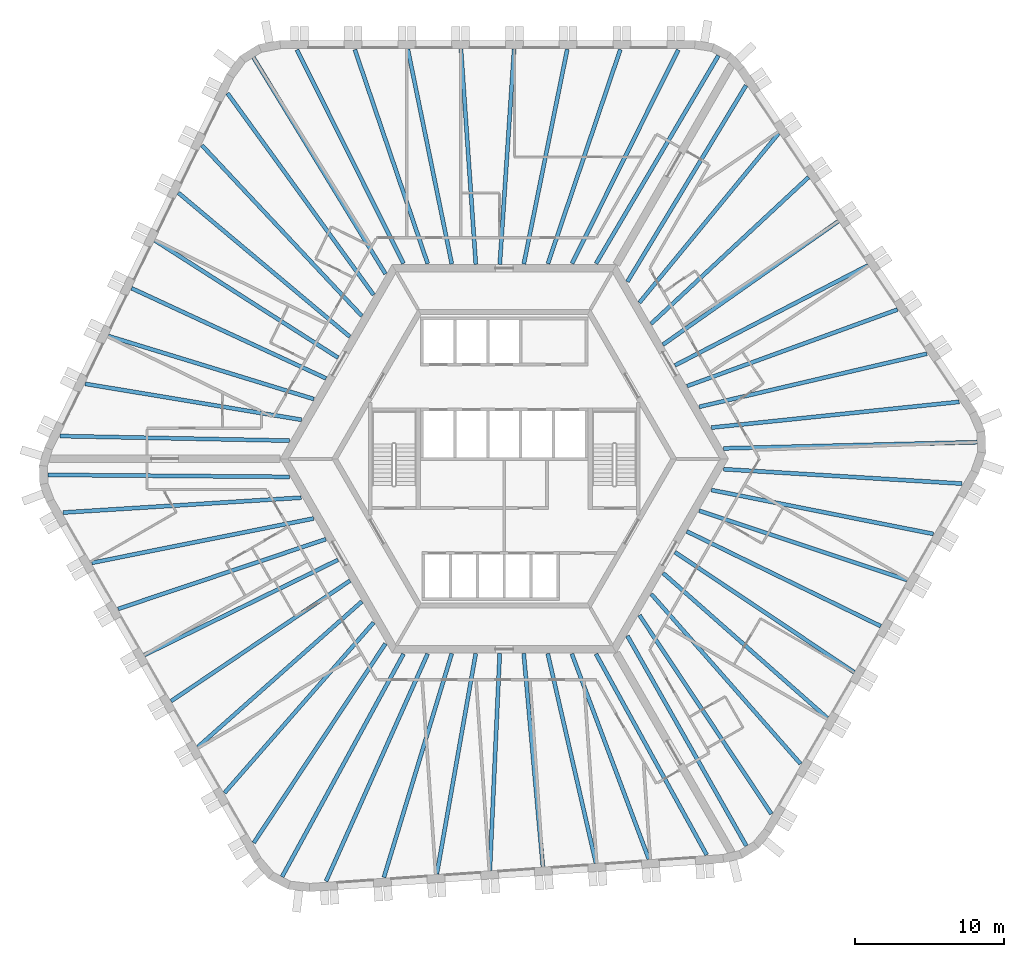
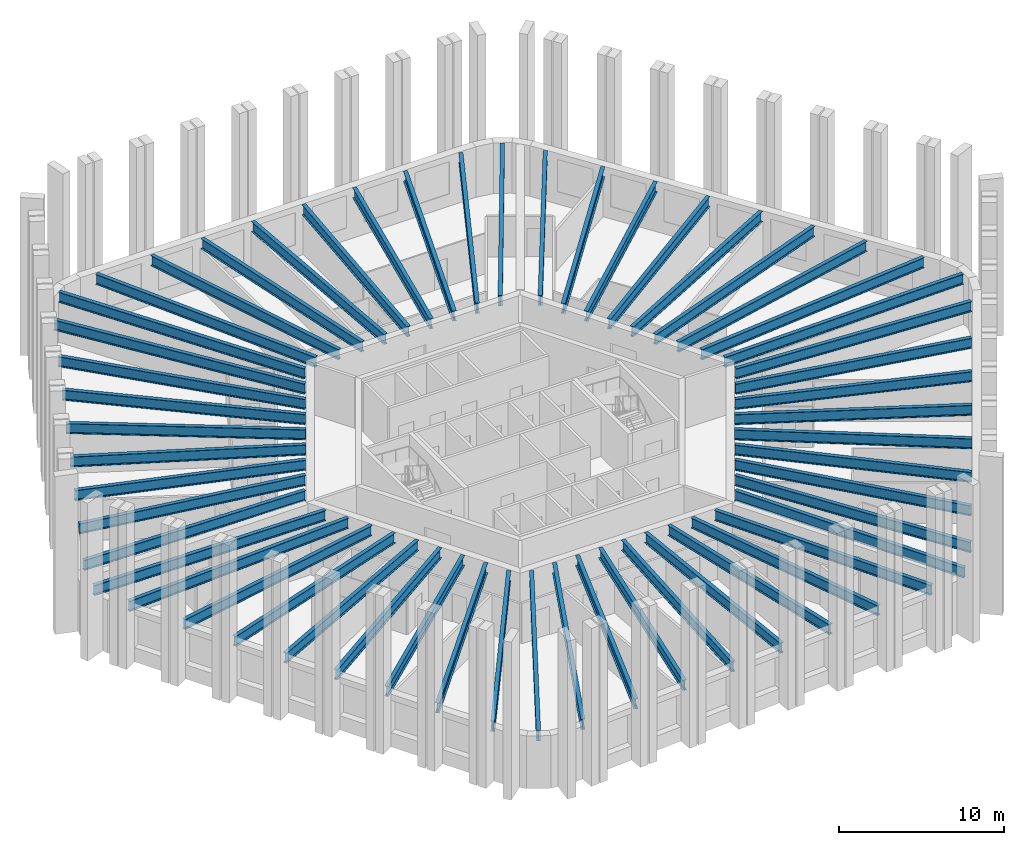
# One storey, part 1 of 10: 54 beams.
"""IFC4 building model written with IfcOpenShell, lengths in metres."""

from ifc_helpers import new_model, si_unit, direction, frame, origin, origin_2d, place, context, subcontext, project, spatial, i_section, extrude, material, material_profile, profile_set, type_object, element, save


model = new_model("IFC4")

# Units and contexts
model_context = context("Model", 3, precision=1e-05, world=origin(), true_north=direction((0.0, 1.0)))
body_context = subcontext(model_context, "Body", "Model", "MODEL_VIEW")
ifc_project = project(units=[si_unit("LENGTHUNIT", "METRE"), si_unit("AREAUNIT", "SQUARE_METRE"), si_unit("VOLUMEUNIT", "CUBIC_METRE"), si_unit("PLANEANGLEUNIT", "RADIAN"), si_unit("MASSUNIT", "GRAM", prefix="KILO")], contexts=[model_context])

# Site, building, storey
site_placement = place(None, origin())
site = spatial("IfcSite", under=ifc_project, at=site_placement, CompositionType="ELEMENT")
building_placement = place(site_placement, origin())
building = spatial("IfcBuilding", under=site, at=building_placement, Name="Tarnside Tower", CompositionType="ELEMENT")
storey_placement = place(building_placement, frame((0.0, 0.0, 226.800048828125)))
storey = spatial("IfcBuildingStorey", under=building, at=storey_placement, Name="L54", CompositionType="ELEMENT", Elevation=226.800048828125)

# Beams
ifc_material = material(Name="Steel S355", Category="steel")
ifc_material_profile_1 = material_profile(ifc_material, i_section(OverallWidth=0.26513671875, OverallDepth=0.75390625, WebThickness=0.0126953125, FlangeThickness=0.017578125, FilletRadius=0.0166015625, at=origin_2d()), Name="UB 762x267x147")
ifc_profile_set_1 = profile_set([ifc_material_profile_1], Name="Steel S355")
beam_type_1 = type_object("IfcBeamType", Name="Floor beam UB 762x267x147", PredefinedType="BEAM", material=ifc_profile_set_1)
beam_1_placement = place(storey_placement, frame((7.77001953125, 27.393310546875, 3.373046875), z_axis=(-0.320362579778, -0.947295000239, 0.0), x_axis=(0.947295000239, -0.320362579778, 0.0)))
element("IfcBeam", 1, at=beam_1_placement, inside=storey, type_object=beam_type_1, Name="Floor beam F1.02", PredefinedType="BEAM", context=body_context, shape_type="SweptSolid", body=[
    extrude(i_section(OverallWidth=0.26513671875, OverallDepth=0.75390625, WebThickness=0.0126953125, FlangeThickness=0.017578125, FilletRadius=0.0166015625, at=origin_2d()), origin(), (0.0, 0.0, 1.0), 15.134033203125),
])
beam_2_placement = place(storey_placement, frame((4.218505859375, 27.410888671875, 3.373046875), z_axis=(-0.19841777413, -0.980117537293, 0.0), x_axis=(0.980117537293, -0.19841777413, 0.0)))
element("IfcBeam", 2, at=beam_2_placement, inside=storey, type_object=beam_type_1, Name="Floor beam F1.03", PredefinedType="BEAM", context=body_context, shape_type="SweptSolid", body=[
    extrude(i_section(OverallWidth=0.26513671875, OverallDepth=0.75390625, WebThickness=0.0126953125, FlangeThickness=0.017578125, FilletRadius=0.0166015625, at=origin_2d()), origin(), (0.0, 0.0, 1.0), 14.6630859375),
])
beam_3_placement = place(storey_placement, frame((0.66259765625, 27.429931640625, 3.373046875), z_axis=(-0.066554914868, -0.997782763585, 0.0), x_axis=(0.997782763585, -0.066554914868, 0.0)))
element("IfcBeam", 3, at=beam_3_placement, inside=storey, type_object=beam_type_1, Name="Floor beam F1.04", PredefinedType="BEAM", context=body_context, shape_type="SweptSolid", body=[
    extrude(i_section(OverallWidth=0.26513671875, OverallDepth=0.75390625, WebThickness=0.0126953125, FlangeThickness=0.017578125, FilletRadius=0.0166015625, at=origin_2d()), origin(), (0.0, 0.0, 1.0), 14.44189453125),
])
beam_4_placement = place(storey_placement, frame((-2.8974609375, 27.429931640625, 3.373046875), z_axis=(0.068876921658, -0.997625164911, 0.0), x_axis=(0.997625164911, 0.068876921658, 0.0)))
element("IfcBeam", 4, at=beam_4_placement, inside=storey, type_object=beam_type_1, Name="Floor beam F1.05", PredefinedType="BEAM", context=body_context, shape_type="SweptSolid", body=[
    extrude(i_section(OverallWidth=0.26513671875, OverallDepth=0.75390625, WebThickness=0.0126953125, FlangeThickness=0.017578125, FilletRadius=0.0166015625, at=origin_2d()), origin(), (0.0, 0.0, 1.0), 14.4443359375),
])
beam_5_placement = place(storey_placement, frame((-6.45361328125, 27.410888671875, 3.373046875), z_axis=(0.200623497398, -0.979668419564, 0.0), x_axis=(0.979668419564, 0.200623497398, 0.0)))
element("IfcBeam", 5, at=beam_5_placement, inside=storey, type_object=beam_type_1, Name="Floor beam F1.06", PredefinedType="BEAM", context=body_context, shape_type="SweptSolid", body=[
    extrude(i_section(OverallWidth=0.26513671875, OverallDepth=0.75390625, WebThickness=0.0126953125, FlangeThickness=0.017578125, FilletRadius=0.0166015625, at=origin_2d()), origin(), (0.0, 0.0, 1.0), 14.669921875),
])
beam_6_placement = place(storey_placement, frame((-10.0048828125, 27.393310546875, 3.373046875), z_axis=(0.322343712034, -0.946622697442, 0.0), x_axis=(0.946622697442, 0.322343712034, 0.0)))
element("IfcBeam", 6, at=beam_6_placement, inside=storey, type_object=beam_type_1, Name="Floor beam F1.07", PredefinedType="BEAM", context=body_context, shape_type="SweptSolid", body=[
    extrude(i_section(OverallWidth=0.26513671875, OverallDepth=0.75390625, WebThickness=0.0126953125, FlangeThickness=0.017578125, FilletRadius=0.0166015625, at=origin_2d()), origin(), (0.0, 0.0, 1.0), 15.144775390625),
])
beam_7_placement = place(storey_placement, frame((-20.241455078125, 20.9892578125, 3.373046875), z_axis=(0.683752330283, -0.729714156936, 0.0), x_axis=(0.729714156936, 0.683752330283, 0.0)))
element("IfcBeam", 7, at=beam_7_placement, inside=storey, type_object=beam_type_1, Name="Floor beam F2.02", PredefinedType="BEAM", context=body_context, shape_type="SweptSolid", body=[
    extrude(i_section(OverallWidth=0.26513671875, OverallDepth=0.75390625, WebThickness=0.0126953125, FlangeThickness=0.017578125, FilletRadius=0.0166015625, at=origin_2d()), origin(), (0.0, 0.0, 1.0), 15.6591796875),
])
beam_8_placement = place(storey_placement, frame((-21.81396484375, 17.80419921875, 3.373046875), z_axis=(0.765948461073, -0.642901979294, 0.0), x_axis=(0.642901979294, 0.765948461073, 0.0)))
element("IfcBeam", 8, at=beam_8_placement, inside=storey, type_object=beam_type_1, Name="Floor beam F2.03", PredefinedType="BEAM", context=body_context, shape_type="SweptSolid", body=[
    extrude(i_section(OverallWidth=0.26513671875, OverallDepth=0.75390625, WebThickness=0.0126953125, FlangeThickness=0.017578125, FilletRadius=0.0166015625, at=origin_2d()), origin(), (0.0, 0.0, 1.0), 14.982177734375),
])
beam_9_placement = place(storey_placement, frame((-23.389892578125, 14.616455078125, 3.373046875), z_axis=(0.842378275633, -0.538886667808, 0.0), x_axis=(0.538886667808, 0.842378275633, 0.0)))
element("IfcBeam", 9, at=beam_9_placement, inside=storey, type_object=beam_type_1, Name="Floor beam F2.04", PredefinedType="BEAM", context=body_context, shape_type="SweptSolid", body=[
    extrude(i_section(OverallWidth=0.26513671875, OverallDepth=0.75390625, WebThickness=0.0126953125, FlangeThickness=0.017578125, FilletRadius=0.0166015625, at=origin_2d()), origin(), (0.0, 0.0, 1.0), 14.5595703125),
])
beam_10_placement = place(storey_placement, frame((-24.9501953125, 11.416748046875, 3.373046875), z_axis=(0.907310131748, -0.420462037321, 0.0), x_axis=(0.420462037321, 0.907310131748, 0.0)))
element("IfcBeam", 10, at=beam_10_placement, inside=storey, type_object=beam_type_1, Name="Floor beam F2.05", PredefinedType="BEAM", context=body_context, shape_type="SweptSolid", body=[
    extrude(i_section(OverallWidth=0.26513671875, OverallDepth=0.75390625, WebThickness=0.0126953125, FlangeThickness=0.017578125, FilletRadius=0.0166015625, at=origin_2d()), origin(), (0.0, 0.0, 1.0), 14.353515625),
])
beam_11_placement = place(storey_placement, frame((-26.510986328125, 8.2177734375, 3.373046875), z_axis=(0.956073348261, -0.293127536654, 0.0), x_axis=(0.293127536654, 0.956073348261, 0.0)))
element("IfcBeam", 11, at=beam_11_placement, inside=storey, type_object=beam_type_1, Name="Floor beam F2.06", PredefinedType="BEAM", context=body_context, shape_type="SweptSolid", body=[
    extrude(i_section(OverallWidth=0.26513671875, OverallDepth=0.75390625, WebThickness=0.0126953125, FlangeThickness=0.017578125, FilletRadius=0.0166015625, at=origin_2d()), origin(), (0.0, 0.0, 1.0), 14.3955078125),
])
beam_12_placement = place(storey_placement, frame((-28.0517578125, 5.015869140625, 3.373046875), z_axis=(0.986476498304, -0.163902770858, 0.0), x_axis=(0.163902770858, 0.986476498304, 0.0)))
element("IfcBeam", 12, at=beam_12_placement, inside=storey, type_object=beam_type_1, Name="Floor beam F2.07", PredefinedType="BEAM", context=body_context, shape_type="SweptSolid", body=[
    extrude(i_section(OverallWidth=0.26513671875, OverallDepth=0.75390625, WebThickness=0.0126953125, FlangeThickness=0.017578125, FilletRadius=0.0166015625, at=origin_2d()), origin(), (0.0, 0.0, 1.0), 14.680908203125),
])
beam_13_placement = place(storey_placement, frame((-29.73828125, 1.521484375, 3.373046875), z_axis=(0.999800142641, -0.019991867701, 0.0), x_axis=(0.019991867701, 0.999800142641, 0.0)))
element("IfcBeam", 13, at=beam_13_placement, inside=storey, type_object=beam_type_1, Name="Floor beam F2.08", PredefinedType="BEAM", context=body_context, shape_type="SweptSolid", body=[
    extrude(i_section(OverallWidth=0.26513671875, OverallDepth=0.75390625, WebThickness=0.0126953125, FlangeThickness=0.017578125, FilletRadius=0.0166015625, at=origin_2d()), origin(), (0.0, 0.0, 1.0), 15.3505859375),
])
beam_14_placement = place(storey_placement, frame((-27.608154296875, -6.967529296875, 3.373046875), z_axis=(0.980564540422, 0.196196794232, 0.0), x_axis=(-0.196196794232, 0.980564540422, 0.0)))
element("IfcBeam", 14, at=beam_14_placement, inside=storey, type_object=beam_type_1, Name="Floor beam F3.02", PredefinedType="BEAM", context=body_context, shape_type="SweptSolid", body=[
    extrude(i_section(OverallWidth=0.26513671875, OverallDepth=0.75390625, WebThickness=0.0126953125, FlangeThickness=0.017578125, FilletRadius=0.0166015625, at=origin_2d()), origin(), (0.0, 0.0, 1.0), 15.134033203125),
])
beam_15_placement = place(storey_placement, frame((-25.84765625, -10.052001953125, 3.373046875), z_axis=(0.948011835322, 0.31823507049, 0.0), x_axis=(-0.31823507049, 0.948011835322, 0.0)))
element("IfcBeam", 15, at=beam_15_placement, inside=storey, type_object=beam_type_1, Name="Floor beam F3.03", PredefinedType="BEAM", context=body_context, shape_type="SweptSolid", body=[
    extrude(i_section(OverallWidth=0.26513671875, OverallDepth=0.75390625, WebThickness=0.0126953125, FlangeThickness=0.017578125, FilletRadius=0.0166015625, at=origin_2d()), origin(), (0.0, 0.0, 1.0), 14.662841796875),
])
beam_16_placement = place(storey_placement, frame((-24.086181640625, -13.141357421875, 3.373046875), z_axis=(0.897375974806, 0.441266767206, 0.0), x_axis=(-0.441266767206, 0.897375974806, 0.0)))
element("IfcBeam", 16, at=beam_16_placement, inside=storey, type_object=beam_type_1, Name="Floor beam F3.04", PredefinedType="BEAM", context=body_context, shape_type="SweptSolid", body=[
    extrude(i_section(OverallWidth=0.26513671875, OverallDepth=0.75390625, WebThickness=0.0126953125, FlangeThickness=0.017578125, FilletRadius=0.0166015625, at=origin_2d()), origin(), (0.0, 0.0, 1.0), 14.442138671875),
])
beam_17_placement = place(storey_placement, frame((-22.306396484375, -16.224365234375, 3.373046875), z_axis=(0.829532486243, 0.558458462437, 0.0), x_axis=(-0.558458462437, 0.829532486243, 0.0)))
element("IfcBeam", 17, at=beam_17_placement, inside=storey, type_object=beam_type_1, Name="Floor beam F3.05", PredefinedType="BEAM", context=body_context, shape_type="SweptSolid", body=[
    extrude(i_section(OverallWidth=0.26513671875, OverallDepth=0.75390625, WebThickness=0.0126953125, FlangeThickness=0.017578125, FilletRadius=0.0166015625, at=origin_2d()), origin(), (0.0, 0.0, 1.0), 14.444580078125),
])
beam_18_placement = place(storey_placement, frame((-20.51171875, -19.294189453125, 3.373046875), z_axis=(0.74811408094, 0.663570133369, 0.0), x_axis=(-0.663570133369, 0.74811408094, 0.0)))
element("IfcBeam", 18, at=beam_18_placement, inside=storey, type_object=beam_type_1, Name="Floor beam F3.06", PredefinedType="BEAM", context=body_context, shape_type="SweptSolid", body=[
    extrude(i_section(OverallWidth=0.26513671875, OverallDepth=0.75390625, WebThickness=0.0126953125, FlangeThickness=0.017578125, FilletRadius=0.0166015625, at=origin_2d()), origin(), (0.0, 0.0, 1.0), 14.669677734375),
])
beam_19_placement = place(storey_placement, frame((-18.720703125, -22.361083984375, 3.373046875), z_axis=(0.658621010302, 0.752474826681, 0.0), x_axis=(-0.752474826681, 0.658621010302, 0.0)))
element("IfcBeam", 19, at=beam_19_placement, inside=storey, type_object=beam_type_1, Name="Floor beam F3.07", PredefinedType="BEAM", context=body_context, shape_type="SweptSolid", body=[
    extrude(i_section(OverallWidth=0.26513671875, OverallDepth=0.75390625, WebThickness=0.0126953125, FlangeThickness=0.017578125, FilletRadius=0.0166015625, at=origin_2d()), origin(), (0.0, 0.0, 1.0), 15.144775390625),
])
beam_20_placement = place(storey_placement, frame((-8.056396484375, -28.024169921875, 3.373046875), z_axis=(0.290070138838, 0.957005388989, 0.0), x_axis=(-0.957005388989, 0.290070138838, 0.0)))
element("IfcBeam", 20, at=beam_20_placement, inside=storey, type_object=beam_type_1, Name="Floor beam F4.02", PredefinedType="BEAM", context=body_context, shape_type="SweptSolid", body=[
    extrude(i_section(OverallWidth=0.26513671875, OverallDepth=0.75390625, WebThickness=0.0126953125, FlangeThickness=0.017578125, FilletRadius=0.0166015625, at=origin_2d()), origin(), (0.0, 0.0, 1.0), 15.6591796875),
])
beam_21_placement = place(storey_placement, frame((-4.511962890625, -27.793701171875, 3.373046875), z_axis=(0.173788122681, 0.984783066678, 0.0), x_axis=(-0.984783066678, 0.173788122681, 0.0)))
element("IfcBeam", 21, at=beam_21_placement, inside=storey, type_object=beam_type_1, Name="Floor beam F4.03", PredefinedType="BEAM", context=body_context, shape_type="SweptSolid", body=[
    extrude(i_section(OverallWidth=0.26513671875, OverallDepth=0.75390625, WebThickness=0.0126953125, FlangeThickness=0.017578125, FilletRadius=0.0166015625, at=origin_2d()), origin(), (0.0, 0.0, 1.0), 14.982421875),
])
beam_22_placement = place(storey_placement, frame((-0.96337890625, -27.564453125, 3.373046875), z_axis=(0.045509585226, 0.998963902077, 0.0), x_axis=(-0.998963902077, 0.045509585226, 0.0)))
element("IfcBeam", 22, at=beam_22_placement, inside=storey, type_object=beam_type_1, Name="Floor beam F4.04", PredefinedType="BEAM", context=body_context, shape_type="SweptSolid", body=[
    extrude(i_section(OverallWidth=0.26513671875, OverallDepth=0.75390625, WebThickness=0.0126953125, FlangeThickness=0.017578125, FilletRadius=0.0166015625, at=origin_2d()), origin(), (0.0, 0.0, 1.0), 14.5595703125),
])
beam_23_placement = place(storey_placement, frame((2.587890625, -27.31591796875, 3.373046875), z_axis=(-0.089518916897, 0.995985122137, 0.0), x_axis=(-0.995985122137, -0.089518916897, 0.0)))
element("IfcBeam", 23, at=beam_23_placement, inside=storey, type_object=beam_type_1, Name="Floor beam F4.05", PredefinedType="BEAM", context=body_context, shape_type="SweptSolid", body=[
    extrude(i_section(OverallWidth=0.26513671875, OverallDepth=0.75390625, WebThickness=0.0126953125, FlangeThickness=0.017578125, FilletRadius=0.0166015625, at=origin_2d()), origin(), (0.0, 0.0, 1.0), 14.353515625),
])
beam_24_placement = place(storey_placement, frame((6.138671875, -27.068115234375, 3.373046875), z_axis=(-0.224188122435, 0.974545886944, 0.0), x_axis=(-0.974545886944, -0.224188122435, 0.0)))
element("IfcBeam", 24, at=beam_24_placement, inside=storey, type_object=beam_type_1, Name="Floor beam F4.06", PredefinedType="BEAM", context=body_context, shape_type="SweptSolid", body=[
    extrude(i_section(OverallWidth=0.26513671875, OverallDepth=0.75390625, WebThickness=0.0126953125, FlangeThickness=0.017578125, FilletRadius=0.0166015625, at=origin_2d()), origin(), (0.0, 0.0, 1.0), 14.3955078125),
])
beam_25_placement = place(storey_placement, frame((9.681884765625, -26.801513671875, 3.373046875), z_axis=(-0.351271055087, 0.936273809234, 0.0), x_axis=(-0.936273809234, -0.351271055087, 0.0)))
element("IfcBeam", 25, at=beam_25_placement, inside=storey, type_object=beam_type_1, Name="Floor beam F4.07", PredefinedType="BEAM", context=body_context, shape_type="SweptSolid", body=[
    extrude(i_section(OverallWidth=0.26513671875, OverallDepth=0.75390625, WebThickness=0.0126953125, FlangeThickness=0.017578125, FilletRadius=0.0166015625, at=origin_2d()), origin(), (0.0, 0.0, 1.0), 14.680908203125),
])
beam_26_placement = place(storey_placement, frame((13.551513671875, -26.514892578125, 3.373046875), z_axis=(-0.482584088089, 0.875849643445, 0.0), x_axis=(-0.875849643445, -0.482584088089, 0.0)))
element("IfcBeam", 26, at=beam_26_placement, inside=storey, type_object=beam_type_1, Name="Floor beam F4.08", PredefinedType="BEAM", context=body_context, shape_type="SweptSolid", body=[
    extrude(i_section(OverallWidth=0.26513671875, OverallDepth=0.75390625, WebThickness=0.0126953125, FlangeThickness=0.017578125, FilletRadius=0.0166015625, at=origin_2d()), origin(), (0.0, 0.0, 1.0), 15.3505859375),
])
beam_27_placement = place(storey_placement, frame((19.838134765625, -20.425537109375, 3.373046875), z_axis=(-0.660201214512, 0.751088780609, 0.0), x_axis=(-0.751088780609, -0.660201214512, 0.0)))
element("IfcBeam", 27, at=beam_27_placement, inside=storey, type_object=beam_type_1, Name="Floor beam F5.02", PredefinedType="BEAM", context=body_context, shape_type="SweptSolid", body=[
    extrude(i_section(OverallWidth=0.26513671875, OverallDepth=0.75390625, WebThickness=0.0126953125, FlangeThickness=0.017578125, FilletRadius=0.0166015625, at=origin_2d()), origin(), (0.0, 0.0, 1.0), 15.134033203125),
])
beam_28_placement = place(storey_placement, frame((21.629150390625, -17.358642578125, 3.373046875), z_axis=(-0.749601662028, 0.661889226597, 0.0), x_axis=(-0.661889226597, -0.749601662028, 0.0)))
element("IfcBeam", 28, at=beam_28_placement, inside=storey, type_object=beam_type_1, Name="Floor beam F5.03", PredefinedType="BEAM", context=body_context, shape_type="SweptSolid", body=[
    extrude(i_section(OverallWidth=0.26513671875, OverallDepth=0.75390625, WebThickness=0.0126953125, FlangeThickness=0.017578125, FilletRadius=0.0166015625, at=origin_2d()), origin(), (0.0, 0.0, 1.0), 14.6630859375),
])
beam_29_placement = place(storey_placement, frame((23.423828125, -14.288818359375, 3.373046875), z_axis=(-0.830825943553, 0.556532345439, 0.0), x_axis=(-0.556532345439, -0.830825943553, 0.0)))
element("IfcBeam", 29, at=beam_29_placement, inside=storey, type_object=beam_type_1, Name="Floor beam F5.04", PredefinedType="BEAM", context=body_context, shape_type="SweptSolid", body=[
    extrude(i_section(OverallWidth=0.26513671875, OverallDepth=0.75390625, WebThickness=0.0126953125, FlangeThickness=0.017578125, FilletRadius=0.0166015625, at=origin_2d()), origin(), (0.0, 0.0, 1.0), 14.4423828125),
])
beam_30_placement = place(storey_placement, frame((25.203857421875, -11.205810546875, 3.373046875), z_axis=(-0.898407034897, 0.43916375038, 0.0), x_axis=(-0.43916375038, -0.898407034897, 0.0)))
element("IfcBeam", 30, at=beam_30_placement, inside=storey, type_object=beam_type_1, Name="Floor beam F5.05", PredefinedType="BEAM", context=body_context, shape_type="SweptSolid", body=[
    extrude(i_section(OverallWidth=0.26513671875, OverallDepth=0.75390625, WebThickness=0.0126953125, FlangeThickness=0.017578125, FilletRadius=0.0166015625, at=origin_2d()), origin(), (0.0, 0.0, 1.0), 14.444580078125),
])
beam_31_placement = place(storey_placement, frame((26.965087890625, -8.116455078125, 3.373046875), z_axis=(-0.948728223501, 0.31609295774, 0.0), x_axis=(-0.31609295774, -0.948728223501, 0.0)))
element("IfcBeam", 31, at=beam_31_placement, inside=storey, type_object=beam_type_1, Name="Floor beam F5.06", PredefinedType="BEAM", context=body_context, shape_type="SweptSolid", body=[
    extrude(i_section(OverallWidth=0.26513671875, OverallDepth=0.75390625, WebThickness=0.0126953125, FlangeThickness=0.017578125, FilletRadius=0.0166015625, at=origin_2d()), origin(), (0.0, 0.0, 1.0), 14.669677734375),
])
beam_32_placement = place(storey_placement, frame((28.7255859375, -5.031982421875, 3.373046875), z_axis=(-0.980974250646, 0.194137888034, 0.0), x_axis=(-0.194137888034, -0.980974250646, 0.0)))
element("IfcBeam", 32, at=beam_32_placement, inside=storey, type_object=beam_type_1, Name="Floor beam F5.07", PredefinedType="BEAM", context=body_context, shape_type="SweptSolid", body=[
    extrude(i_section(OverallWidth=0.26513671875, OverallDepth=0.75390625, WebThickness=0.0126953125, FlangeThickness=0.017578125, FilletRadius=0.0166015625, at=origin_2d()), origin(), (0.0, 0.0, 1.0), 15.144775390625),
])
beam_33_placement = place(storey_placement, frame((28.2978515625, 7.034912109375, 3.373046875), z_axis=(-0.973828212928, -0.227285309042, 0.0), x_axis=(0.227285309042, -0.973828212928, 0.0)))
element("IfcBeam", 33, at=beam_33_placement, inside=storey, type_object=beam_type_1, Name="Floor beam F6.02", PredefinedType="BEAM", context=body_context, shape_type="SweptSolid", body=[
    extrude(i_section(OverallWidth=0.26513671875, OverallDepth=0.75390625, WebThickness=0.0126953125, FlangeThickness=0.017578125, FilletRadius=0.0166015625, at=origin_2d()), origin(), (0.0, 0.0, 1.0), 15.6591796875),
])
beam_34_placement = place(storey_placement, frame((26.325927734375, 9.989501953125, 3.373046875), z_axis=(-0.939738697004, -0.341893523415, 0.0), x_axis=(0.341893523415, -0.939738697004, 0.0)))
element("IfcBeam", 34, at=beam_34_placement, inside=storey, type_object=beam_type_1, Name="Floor beam F6.03", PredefinedType="BEAM", context=body_context, shape_type="SweptSolid", body=[
    extrude(i_section(OverallWidth=0.26513671875, OverallDepth=0.75390625, WebThickness=0.0126953125, FlangeThickness=0.017578125, FilletRadius=0.0166015625, at=origin_2d()), origin(), (0.0, 0.0, 1.0), 14.982177734375),
])
beam_35_placement = place(storey_placement, frame((24.353271484375, 12.947998046875, 3.373046875), z_axis=(-0.887881646639, -0.460071930856, 0.0), x_axis=(0.460071930856, -0.887881646639, 0.0)))
element("IfcBeam", 35, at=beam_35_placement, inside=storey, type_object=beam_type_1, Name="Floor beam F6.04", PredefinedType="BEAM", context=body_context, shape_type="SweptSolid", body=[
    extrude(i_section(OverallWidth=0.26513671875, OverallDepth=0.75390625, WebThickness=0.0126953125, FlangeThickness=0.017578125, FilletRadius=0.0166015625, at=origin_2d()), origin(), (0.0, 0.0, 1.0), 14.5595703125),
])
beam_36_placement = place(storey_placement, frame((22.3623046875, 15.899169921875, 3.373046875), z_axis=(-0.817791001708, -0.575515314762, 0.0), x_axis=(0.575515314762, -0.817791001708, 0.0)))
element("IfcBeam", 36, at=beam_36_placement, inside=storey, type_object=beam_type_1, Name="Floor beam F6.05", PredefinedType="BEAM", context=body_context, shape_type="SweptSolid", body=[
    extrude(i_section(OverallWidth=0.26513671875, OverallDepth=0.75390625, WebThickness=0.0126953125, FlangeThickness=0.017578125, FilletRadius=0.0166015625, at=origin_2d()), origin(), (0.0, 0.0, 1.0), 14.353759765625),
])
beam_37_placement = place(storey_placement, frame((20.372314453125, 18.850341796875, 3.373046875), z_axis=(-0.731892224456, -0.681420407517, 0.0), x_axis=(0.681420407517, -0.731892224456, 0.0)))
element("IfcBeam", 37, at=beam_37_placement, inside=storey, type_object=beam_type_1, Name="Floor beam F6.06", PredefinedType="BEAM", context=body_context, shape_type="SweptSolid", body=[
    extrude(i_section(OverallWidth=0.26513671875, OverallDepth=0.75390625, WebThickness=0.0126953125, FlangeThickness=0.017578125, FilletRadius=0.0166015625, at=origin_2d()), origin(), (0.0, 0.0, 1.0), 14.3955078125),
])
beam_38_placement = place(storey_placement, frame((18.369873046875, 21.78564453125, 3.373046875), z_axis=(-0.635191827457, -0.772354414975, 0.0), x_axis=(0.772354414975, -0.635191827457, 0.0)))
element("IfcBeam", 38, at=beam_38_placement, inside=storey, type_object=beam_type_1, Name="Floor beam F6.07", PredefinedType="BEAM", context=body_context, shape_type="SweptSolid", body=[
    extrude(i_section(OverallWidth=0.26513671875, OverallDepth=0.75390625, WebThickness=0.0126953125, FlangeThickness=0.017578125, FilletRadius=0.0166015625, at=origin_2d()), origin(), (0.0, 0.0, 1.0), 14.680908203125),
])
beam_39_placement = place(storey_placement, frame((16.186767578125, 24.993408203125, 3.373046875), z_axis=(-0.517208605106, -0.855859368591, 0.0), x_axis=(0.855859368591, -0.517208605106, 0.0)))
element("IfcBeam", 39, at=beam_39_placement, inside=storey, type_object=beam_type_1, Name="Floor beam F6.08", PredefinedType="BEAM", context=body_context, shape_type="SweptSolid", body=[
    extrude(i_section(OverallWidth=0.26513671875, OverallDepth=0.75390625, WebThickness=0.0126953125, FlangeThickness=0.017578125, FilletRadius=0.0166015625, at=origin_2d()), origin(), (0.0, 0.0, 1.0), 15.3505859375),
])
ifc_material_profile_2 = material_profile(ifc_material, i_section(OverallWidth=0.2666015625, OverallDepth=0.76220703125, WebThickness=0.014404296875, FlangeThickness=0.021484375, FilletRadius=0.0166015625, at=origin_2d()), Name="UB 762x267x173")
ifc_profile_set_2 = profile_set([ifc_material_profile_2], Name="Steel S355")
beam_type_2 = type_object("IfcBeamType", Name="Floor beam UB 762x267x173", PredefinedType="BEAM", material=ifc_profile_set_2)
beam_40_placement = place(storey_placement, frame((11.6494140625, 27.37841796875, 3.368896484375), z_axis=(-0.445042310328, -0.895509543231, 0.0), x_axis=(0.895509543231, -0.445042310328, 0.0)))
element("IfcBeam", 40, at=beam_40_placement, inside=storey, type_object=beam_type_2, Name="Floor beam F1.01", PredefinedType="BEAM", context=body_context, shape_type="SweptSolid", body=[
    extrude(i_section(OverallWidth=0.2666015625, OverallDepth=0.76220703125, WebThickness=0.014404296875, FlangeThickness=0.021484375, FilletRadius=0.0166015625, at=origin_2d()), origin(), (0.0, 0.0, 1.0), 15.976318359375),
])
beam_41_placement = place(storey_placement, frame((-13.884521484375, 27.37841796875, 3.368896484375), z_axis=(0.44673108957, -0.894668281326, 0.0), x_axis=(0.894668281326, 0.44673108957, 0.0)))
element("IfcBeam", 41, at=beam_41_placement, inside=storey, type_object=beam_type_2, Name="Floor beam F1.08", PredefinedType="BEAM", context=body_context, shape_type="SweptSolid", body=[
    extrude(i_section(OverallWidth=0.2666015625, OverallDepth=0.76220703125, WebThickness=0.014404296875, FlangeThickness=0.021484375, FilletRadius=0.0166015625, at=origin_2d()), origin(), (0.0, 0.0, 1.0), 15.9912109375),
])
beam_42_placement = place(storey_placement, frame((-16.79345703125, 26.86962890625, 3.368896484375), z_axis=(0.520940467881, -0.853593011291, 0.0), x_axis=(0.853593011291, 0.520940467881, 0.0)))
element("IfcBeam", 42, at=beam_42_placement, inside=storey, type_object=beam_type_2, Name="Floor beam C1", PredefinedType="BEAM", context=body_context, shape_type="SweptSolid", body=[
    extrude(i_section(OverallWidth=0.2666015625, OverallDepth=0.76220703125, WebThickness=0.014404296875, FlangeThickness=0.021484375, FilletRadius=0.0166015625, at=origin_2d()), origin(), (0.0, 0.0, 1.0), 16.980712890625),
])
beam_43_placement = place(storey_placement, frame((-18.52685546875, 24.471435546875, 3.368896484375), z_axis=(0.586791943415, -0.80973774467, 0.0), x_axis=(0.80973774467, 0.586791943415, 0.0)))
element("IfcBeam", 43, at=beam_43_placement, inside=storey, type_object=beam_type_2, Name="Floor beam F2.01", PredefinedType="BEAM", context=body_context, shape_type="SweptSolid", body=[
    extrude(i_section(OverallWidth=0.2666015625, OverallDepth=0.76220703125, WebThickness=0.014404296875, FlangeThickness=0.021484375, FilletRadius=0.0166015625, at=origin_2d()), origin(), (0.0, 0.0, 1.0), 16.67578125),
])
beam_44_placement = place(storey_placement, frame((-30.543212890625, -1.079345703125, 3.368896484375), z_axis=(0.999966072652, -0.008237326324, 0.0), x_axis=(0.008237326324, 0.999966072652, 0.0)))
element("IfcBeam", 44, at=beam_44_placement, inside=storey, type_object=beam_type_2, Name="Floor beam C2", PredefinedType="BEAM", context=body_context, shape_type="SweptSolid", body=[
    extrude(i_section(OverallWidth=0.2666015625, OverallDepth=0.76220703125, WebThickness=0.014404296875, FlangeThickness=0.021484375, FilletRadius=0.0166015625, at=origin_2d()), origin(), (0.0, 0.0, 1.0), 16.15283203125),
])
beam_45_placement = place(storey_placement, frame((-29.534912109375, -3.6005859375, 3.368896484375), z_axis=(0.99805531279, 0.062334521832, 0.0), x_axis=(-0.062334521832, 0.99805531279, 0.0)))
element("IfcBeam", 45, at=beam_45_placement, inside=storey, type_object=beam_type_2, Name="Floor beam F3.01", PredefinedType="BEAM", context=body_context, shape_type="SweptSolid", body=[
    extrude(i_section(OverallWidth=0.2666015625, OverallDepth=0.76220703125, WebThickness=0.014404296875, FlangeThickness=0.021484375, FilletRadius=0.0166015625, at=origin_2d()), origin(), (0.0, 0.0, 1.0), 15.975830078125),
])
beam_46_placement = place(storey_placement, frame((-16.768310546875, -25.71337890625, 3.368896484375), z_axis=(0.551447600123, 0.834209532623, 0.0), x_axis=(-0.834209532623, 0.551447600123, 0.0)))
element("IfcBeam", 46, at=beam_46_placement, inside=storey, type_object=beam_type_2, Name="Floor beam F3.08", PredefinedType="BEAM", context=body_context, shape_type="SweptSolid", body=[
    extrude(i_section(OverallWidth=0.2666015625, OverallDepth=0.76220703125, WebThickness=0.014404296875, FlangeThickness=0.021484375, FilletRadius=0.0166015625, at=origin_2d()), origin(), (0.0, 0.0, 1.0), 15.9912109375),
])
beam_47_placement = place(storey_placement, frame((-14.873046875, -27.978515625, 3.368896484375), z_axis=(0.478767512404, 0.877941723047, 0.0), x_axis=(-0.877941723047, 0.478767512404, 0.0)))
element("IfcBeam", 47, at=beam_47_placement, inside=storey, type_object=beam_type_2, Name="Floor beam C3", PredefinedType="BEAM", context=body_context, shape_type="SweptSolid", body=[
    extrude(i_section(OverallWidth=0.2666015625, OverallDepth=0.76220703125, WebThickness=0.014404296875, FlangeThickness=0.021484375, FilletRadius=0.0166015625, at=origin_2d()), origin(), (0.0, 0.0, 1.0), 16.98095703125),
])
beam_48_placement = place(storey_placement, frame((-11.929443359375, -28.280517578125, 3.368896484375), z_axis=(0.407852035629, 0.913048036542, 0.0), x_axis=(-0.913048036542, 0.407852035629, 0.0)))
element("IfcBeam", 48, at=beam_48_placement, inside=storey, type_object=beam_type_2, Name="Floor beam F4.01", PredefinedType="BEAM", context=body_context, shape_type="SweptSolid", body=[
    extrude(i_section(OverallWidth=0.2666015625, OverallDepth=0.76220703125, WebThickness=0.014404296875, FlangeThickness=0.021484375, FilletRadius=0.0166015625, at=origin_2d()), origin(), (0.0, 0.0, 1.0), 16.67578125),
])
beam_49_placement = place(storey_placement, frame((16.206298828125, -25.91162109375, 3.368896484375), z_axis=(-0.492847437034, 0.870115741616, 0.0), x_axis=(-0.870115741616, -0.492847437034, 0.0)))
element("IfcBeam", 49, at=beam_49_placement, inside=storey, type_object=beam_type_2, Name="Floor beam C4", PredefinedType="BEAM", context=body_context, shape_type="SweptSolid", body=[
    extrude(i_section(OverallWidth=0.2666015625, OverallDepth=0.76220703125, WebThickness=0.014404296875, FlangeThickness=0.021484375, FilletRadius=0.0166015625, at=origin_2d()), origin(), (0.0, 0.0, 1.0), 16.15283203125),
])
beam_50_placement = place(storey_placement, frame((17.8857421875, -23.77783203125, 3.368896484375), z_axis=(-0.553013371197, 0.833172377889, 0.0), x_axis=(-0.833172377889, -0.553013371197, 0.0)))
element("IfcBeam", 50, at=beam_50_placement, inside=storey, type_object=beam_type_2, Name="Floor beam F5.01", PredefinedType="BEAM", context=body_context, shape_type="SweptSolid", body=[
    extrude(i_section(OverallWidth=0.2666015625, OverallDepth=0.76220703125, WebThickness=0.014404296875, FlangeThickness=0.021484375, FilletRadius=0.0166015625, at=origin_2d()), origin(), (0.0, 0.0, 1.0), 15.97607421875),
])
beam_51_placement = place(storey_placement, frame((30.652587890625, -1.6650390625, 3.368896484375), z_axis=(-0.998170730858, 0.060458184371, 0.0), x_axis=(-0.060458184371, -0.998170730858, 0.0)))
element("IfcBeam", 51, at=beam_51_placement, inside=storey, type_object=beam_type_2, Name="Floor beam F5.08", PredefinedType="BEAM", context=body_context, shape_type="SweptSolid", body=[
    extrude(i_section(OverallWidth=0.2666015625, OverallDepth=0.76220703125, WebThickness=0.014404296875, FlangeThickness=0.021484375, FilletRadius=0.0166015625, at=origin_2d()), origin(), (0.0, 0.0, 1.0), 15.9912109375),
])
beam_52_placement = place(storey_placement, frame((31.66650390625, 1.108642578125, 3.368896484375), z_axis=(-0.999703706976, -0.024341287118, 0.0), x_axis=(0.024341287118, -0.999703706976, 0.0)))
element("IfcBeam", 52, at=beam_52_placement, inside=storey, type_object=beam_type_2, Name="Floor beam C5", PredefinedType="BEAM", context=body_context, shape_type="SweptSolid", body=[
    extrude(i_section(OverallWidth=0.2666015625, OverallDepth=0.76220703125, WebThickness=0.014404296875, FlangeThickness=0.021484375, FilletRadius=0.0166015625, at=origin_2d()), origin(), (0.0, 0.0, 1.0), 16.980712890625),
])
beam_53_placement = place(storey_placement, frame((30.456298828125, 3.80908203125, 3.368896484375), z_axis=(-0.994648352349, -0.103318222829, 0.0), x_axis=(0.103318222829, -0.994648352349, 0.0)))
element("IfcBeam", 53, at=beam_53_placement, inside=storey, type_object=beam_type_2, Name="Floor beam F6.01", PredefinedType="BEAM", context=body_context, shape_type="SweptSolid", body=[
    extrude(i_section(OverallWidth=0.2666015625, OverallDepth=0.76220703125, WebThickness=0.014404296875, FlangeThickness=0.021484375, FilletRadius=0.0166015625, at=origin_2d()), origin(), (0.0, 0.0, 1.0), 16.67578125),
])
beam_54_placement = place(storey_placement, frame((14.3369140625, 26.990966796875, 3.368896484375), z_axis=(-0.507115238706, -0.861878259775, 0.0), x_axis=(0.861878259775, -0.507115238706, 0.0)))
element("IfcBeam", 54, at=beam_54_placement, inside=storey, type_object=beam_type_2, Name="Floor beam C6", PredefinedType="BEAM", context=body_context, shape_type="SweptSolid", body=[
    extrude(i_section(OverallWidth=0.2666015625, OverallDepth=0.76220703125, WebThickness=0.014404296875, FlangeThickness=0.021484375, FilletRadius=0.0166015625, at=origin_2d()), origin(), (0.0, 0.0, 1.0), 16.15283203125),
])

save(model, "model.ifc")
